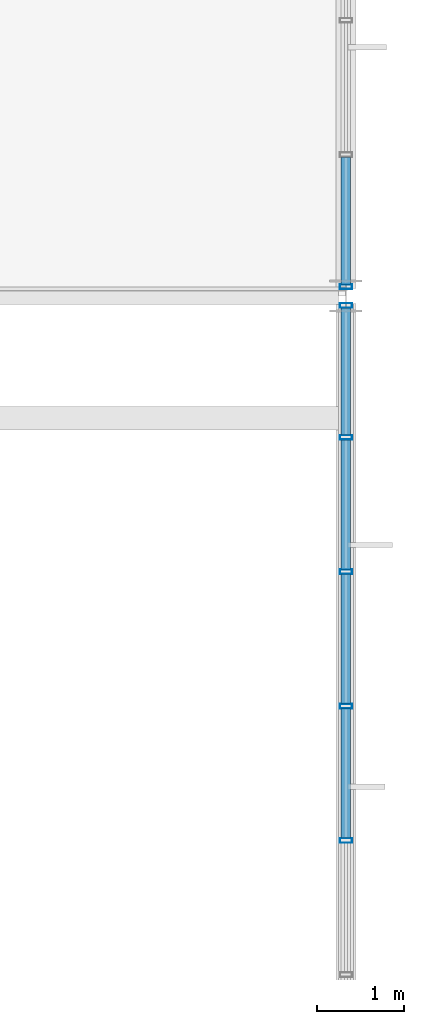
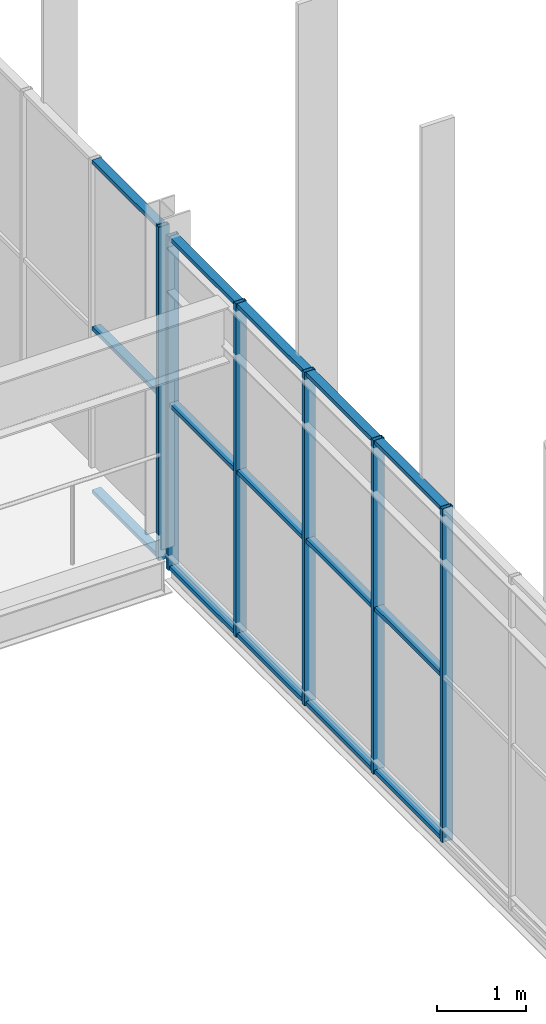
# One storey, part 201 of 324: 21 members, 2 elements without a shape of their own.
"""IFC4 building model written with IfcOpenShell, lengths in metres."""

from ifc_helpers import new_model, si_unit, direction, frame, origin, origin_2d, place, context, subcontext, project, spatial, hollow_rectangle, extrude, material, layer, layer_set, material_profile, profile_set, type_object, element, aggregate, save


model = new_model("IFC4")

# Units and contexts
model_context = context("Model", 3, precision=1e-05, world=origin(), true_north=direction((0.0, 1.0)))
body_context = subcontext(model_context, "Body", "Model", "MODEL_VIEW")
ifc_project = project(units=[si_unit("LENGTHUNIT", "METRE"), si_unit("AREAUNIT", "SQUARE_METRE"), si_unit("VOLUMEUNIT", "CUBIC_METRE"), si_unit("PLANEANGLEUNIT", "RADIAN"), si_unit("MASSUNIT", "GRAM", prefix="KILO")], contexts=[model_context])

# Site, building, storey
site_placement = place(None, origin())
site = spatial("IfcSite", under=ifc_project, at=site_placement, CompositionType="ELEMENT")
building_placement = place(site_placement, origin())
building = spatial("IfcBuilding", under=site, at=building_placement, Name="Solvenia Promenade Tram Depot", CompositionType="ELEMENT")
storey_placement = place(building_placement, frame((0.0, 0.0, 4.5)))
storey = spatial("IfcBuildingStorey", under=building, at=storey_placement, Name="L01", CompositionType="ELEMENT", Elevation=4.5)

# Curtain wall, members
ifc_material = material(Name="Anodized aluminium AW-6063 T6", Category="aluminium")
ifc_layer = layer(ifc_material, 0.080078125, Name="Anodized aluminium AW-6063 T6", Category="aluminium")
ifc_layer_set = layer_set([ifc_layer], Name="Anodized aluminium AW-6063 T6")
curtain_wall_type = type_object("IfcCurtainWallType", Name="CW-Clerest-1500", PredefinedType="NOTDEFINED", material=ifc_layer_set)
curtain_wall_1_placement = place(storey_placement, origin())
curtain_wall_1 = element("IfcCurtainWall", 1, at=curtain_wall_1_placement, inside=storey, type_object=curtain_wall_type, Name="Curtain Wall CW-V2E-L1-1", PredefinedType="NOTDEFINED")
ifc_material_profile_1 = material_profile(ifc_material, hollow_rectangle(XDim=0.139892578125, YDim=0.054931640625, WallThickness=0.00390625, at=origin_2d()), Name="ALU-M4", Category="aluminium")
ifc_profile_set_1 = profile_set([ifc_material_profile_1], Name="Anodized aluminium AW-6063 T6")
member_type_1 = type_object("IfcMemberType", Name="CWM-Mullion-4", PredefinedType="MULLION", material=ifc_profile_set_1)
member_1_placement = place(storey_placement, frame((186.0, 31.768798828125, -0.35009765625), z_axis=(0.0, 0.0, 1.0), x_axis=(-1.0, 0.0, 0.0)))
member_1 = element("IfcMember", 2, at=member_1_placement, type_object=member_type_1, Name="CW-4 mullion 6", PredefinedType="MULLION", context=body_context, shape_type="SweptSolid", body=[
    extrude(hollow_rectangle(XDim=0.139892578125, YDim=0.054931640625, WallThickness=0.00390625, at=origin_2d()), origin(), (0.0, 0.0, 1.0), 4.550048828125),
])
member_2_placement = place(storey_placement, frame((186.0, 33.306640625, -0.35009765625), z_axis=(0.0, 0.0, 1.0), x_axis=(-1.0, 0.0, 0.0)))
member_2 = element("IfcMember", 3, at=member_2_placement, type_object=member_type_1, Name="CW-4 mullion 7", PredefinedType="MULLION", context=body_context, shape_type="SweptSolid", body=[
    extrude(hollow_rectangle(XDim=0.139892578125, YDim=0.054931640625, WallThickness=0.00390625, at=origin_2d()), origin(), (0.0, 0.0, 1.0), 4.550048828125),
])
member_3_placement = place(storey_placement, frame((186.0, 34.844482421875, -0.35009765625), z_axis=(0.0, 0.0, 1.0), x_axis=(-1.0, 0.0, 0.0)))
member_3 = element("IfcMember", 4, at=member_3_placement, type_object=member_type_1, Name="CW-4 mullion 8", PredefinedType="MULLION", context=body_context, shape_type="SweptSolid", body=[
    extrude(hollow_rectangle(XDim=0.139892578125, YDim=0.054931640625, WallThickness=0.00390625, at=origin_2d()), origin(), (0.0, 0.0, 1.0), 4.550048828125),
])
member_4_placement = place(storey_placement, frame((186.0, 36.38232421875, -0.35009765625), z_axis=(0.0, 0.0, 1.0), x_axis=(-1.0, 0.0, 0.0)))
member_4 = element("IfcMember", 5, at=member_4_placement, type_object=member_type_1, Name="CW-4 mullion 9", PredefinedType="MULLION", context=body_context, shape_type="SweptSolid", body=[
    extrude(hollow_rectangle(XDim=0.139892578125, YDim=0.054931640625, WallThickness=0.00390625, at=origin_2d()), origin(), (0.0, 0.0, 1.0), 4.550048828125),
])
member_5_placement = place(storey_placement, frame((186.0, 37.892578125, -0.35009765625), z_axis=(0.0, 0.0, 1.0), x_axis=(-1.0, 0.0, 0.0)))
member_5 = element("IfcMember", 6, at=member_5_placement, type_object=member_type_1, Name="CW-4 mullion 10", PredefinedType="MULLION", context=body_context, shape_type="SweptSolid", body=[
    extrude(hollow_rectangle(XDim=0.139892578125, YDim=0.054931640625, WallThickness=0.00390625, at=origin_2d()), origin(), (0.0, 0.0, 1.0), 4.550048828125),
])

# Curtain wall, member
curtain_wall_2_placement = place(storey_placement, origin())
curtain_wall_2 = element("IfcCurtainWall", 7, at=curtain_wall_2_placement, inside=storey, type_object=curtain_wall_type, Name="Curtain Wall CW-V2E-L1-2", PredefinedType="NOTDEFINED")
member_6_placement = place(storey_placement, frame((186.0, 38.107421875, -0.35009765625), z_axis=(0.0, 0.0, 1.0), x_axis=(-1.0, 0.0, 0.0)))
member_6 = element("IfcMember", 8, at=member_6_placement, type_object=member_type_1, Name="CW-4 mullion 1", PredefinedType="MULLION", context=body_context, shape_type="SweptSolid", body=[
    extrude(hollow_rectangle(XDim=0.139892578125, YDim=0.054931640625, WallThickness=0.00390625, at=origin_2d()), origin(), (0.0, 0.0, 1.0), 4.550048828125),
])

# Member
ifc_material_profile_2 = material_profile(ifc_material, hollow_rectangle(XDim=0.110107421875, YDim=0.054931640625, WallThickness=0.00390625, at=origin_2d()), Name="ALU-T4", Category="aluminium")
ifc_profile_set_2 = profile_set([ifc_material_profile_2], Name="Anodized aluminium AW-6063 T6")
member_type_2 = type_object("IfcMemberType", Name="CWT-Transom-4", PredefinedType="USERDEFINED", material=ifc_profile_set_2)
member_7_placement = place(storey_placement, frame((186.0, 31.79638671875, -0.322509765625), z_axis=(0.0, 1.0, 0.0), x_axis=(-1.0, 0.0, 0.0)))
member_7 = element("IfcMember", 9, at=member_7_placement, type_object=member_type_2, Name="CW-4 transom 6.1", ObjectType="TRANSOM", PredefinedType="USERDEFINED", context=body_context, shape_type="SweptSolid", body=[
    extrude(hollow_rectangle(XDim=0.110107421875, YDim=0.054931640625, WallThickness=0.00390625, at=origin_2d()), origin(), (0.0, 0.0, 1.0), 1.482666015625),
])

member_8_placement = place(storey_placement, frame((186.0, 31.79638671875, 1.89990234375), z_axis=(0.0, 1.0, 0.0), x_axis=(-1.0, 0.0, 0.0)))
member_8 = element("IfcMember", 10, at=member_8_placement, type_object=member_type_2, Name="CW-4 transom 6.2", ObjectType="TRANSOM", PredefinedType="USERDEFINED", context=body_context, shape_type="SweptSolid", body=[
    extrude(hollow_rectangle(XDim=0.110107421875, YDim=0.054931640625, WallThickness=0.00390625, at=origin_2d()), origin(), (0.0, 0.0, 1.0), 1.482666015625),
])

member_9_placement = place(storey_placement, frame((186.0, 31.79638671875, 4.172607421875), z_axis=(0.0, 1.0, 0.0), x_axis=(-1.0, 0.0, 0.0)))
member_9 = element("IfcMember", 11, at=member_9_placement, type_object=member_type_2, Name="CW-4 transom 6.3", ObjectType="TRANSOM", PredefinedType="USERDEFINED", context=body_context, shape_type="SweptSolid", body=[
    extrude(hollow_rectangle(XDim=0.110107421875, YDim=0.054931640625, WallThickness=0.00390625, at=origin_2d()), origin(), (0.0, 0.0, 1.0), 1.482666015625),
])

member_10_placement = place(storey_placement, frame((186.0, 33.334228515625, -0.322509765625), z_axis=(0.0, 1.0, 0.0), x_axis=(-1.0, 0.0, 0.0)))
member_10 = element("IfcMember", 12, at=member_10_placement, type_object=member_type_2, Name="CW-4 transom 7.1", ObjectType="TRANSOM", PredefinedType="USERDEFINED", context=body_context, shape_type="SweptSolid", body=[
    extrude(hollow_rectangle(XDim=0.110107421875, YDim=0.054931640625, WallThickness=0.00390625, at=origin_2d()), origin(), (0.0, 0.0, 1.0), 1.482666015625),
])

member_11_placement = place(storey_placement, frame((186.0, 33.334228515625, 1.89990234375), z_axis=(0.0, 1.0, 0.0), x_axis=(-1.0, 0.0, 0.0)))
member_11 = element("IfcMember", 13, at=member_11_placement, type_object=member_type_2, Name="CW-4 transom 7.2", ObjectType="TRANSOM", PredefinedType="USERDEFINED", context=body_context, shape_type="SweptSolid", body=[
    extrude(hollow_rectangle(XDim=0.110107421875, YDim=0.054931640625, WallThickness=0.00390625, at=origin_2d()), origin(), (0.0, 0.0, 1.0), 1.482666015625),
])

member_12_placement = place(storey_placement, frame((186.0, 33.334228515625, 4.172607421875), z_axis=(0.0, 1.0, 0.0), x_axis=(-1.0, 0.0, 0.0)))
member_12 = element("IfcMember", 14, at=member_12_placement, type_object=member_type_2, Name="CW-4 transom 7.3", ObjectType="TRANSOM", PredefinedType="USERDEFINED", context=body_context, shape_type="SweptSolid", body=[
    extrude(hollow_rectangle(XDim=0.110107421875, YDim=0.054931640625, WallThickness=0.00390625, at=origin_2d()), origin(), (0.0, 0.0, 1.0), 1.482666015625),
])

member_13_placement = place(storey_placement, frame((186.0, 34.871826171875, -0.322509765625), z_axis=(0.0, 1.0, 0.0), x_axis=(-1.0, 0.0, 0.0)))
member_13 = element("IfcMember", 15, at=member_13_placement, type_object=member_type_2, Name="CW-4 transom 8.1", ObjectType="TRANSOM", PredefinedType="USERDEFINED", context=body_context, shape_type="SweptSolid", body=[
    extrude(hollow_rectangle(XDim=0.110107421875, YDim=0.054931640625, WallThickness=0.00390625, at=origin_2d()), origin(), (0.0, 0.0, 1.0), 1.48291015625),
])

member_14_placement = place(storey_placement, frame((186.0, 34.871826171875, 1.89990234375), z_axis=(0.0, 1.0, 0.0), x_axis=(-1.0, 0.0, 0.0)))
member_14 = element("IfcMember", 16, at=member_14_placement, type_object=member_type_2, Name="CW-4 transom 8.2", ObjectType="TRANSOM", PredefinedType="USERDEFINED", context=body_context, shape_type="SweptSolid", body=[
    extrude(hollow_rectangle(XDim=0.110107421875, YDim=0.054931640625, WallThickness=0.00390625, at=origin_2d()), origin(), (0.0, 0.0, 1.0), 1.48291015625),
])

member_15_placement = place(storey_placement, frame((186.0, 34.871826171875, 4.172607421875), z_axis=(0.0, 1.0, 0.0), x_axis=(-1.0, 0.0, 0.0)))
member_15 = element("IfcMember", 17, at=member_15_placement, type_object=member_type_2, Name="CW-4 transom 8.3", ObjectType="TRANSOM", PredefinedType="USERDEFINED", context=body_context, shape_type="SweptSolid", body=[
    extrude(hollow_rectangle(XDim=0.110107421875, YDim=0.054931640625, WallThickness=0.00390625, at=origin_2d()), origin(), (0.0, 0.0, 1.0), 1.48291015625),
])

member_16_placement = place(storey_placement, frame((186.0, 36.40966796875, -0.322509765625), z_axis=(0.0, 1.0, 0.0), x_axis=(-1.0, 0.0, 0.0)))
member_16 = element("IfcMember", 18, at=member_16_placement, type_object=member_type_2, Name="CW-4 transom 9.1", ObjectType="TRANSOM", PredefinedType="USERDEFINED", context=body_context, shape_type="SweptSolid", body=[
    extrude(hollow_rectangle(XDim=0.110107421875, YDim=0.054931640625, WallThickness=0.00390625, at=origin_2d()), origin(), (0.0, 0.0, 1.0), 1.455322265625),
])

member_17_placement = place(storey_placement, frame((186.0, 36.40966796875, 1.89990234375), z_axis=(0.0, 1.0, 0.0), x_axis=(-1.0, 0.0, 0.0)))
member_17 = element("IfcMember", 19, at=member_17_placement, type_object=member_type_2, Name="CW-4 transom 9.2", ObjectType="TRANSOM", PredefinedType="USERDEFINED", context=body_context, shape_type="SweptSolid", body=[
    extrude(hollow_rectangle(XDim=0.110107421875, YDim=0.054931640625, WallThickness=0.00390625, at=origin_2d()), origin(), (0.0, 0.0, 1.0), 1.455322265625),
])

member_18_placement = place(storey_placement, frame((186.0, 36.40966796875, 4.172607421875), z_axis=(0.0, 1.0, 0.0), x_axis=(-1.0, 0.0, 0.0)))
member_18 = element("IfcMember", 20, at=member_18_placement, type_object=member_type_2, Name="CW-4 transom 9.3", ObjectType="TRANSOM", PredefinedType="USERDEFINED", context=body_context, shape_type="SweptSolid", body=[
    extrude(hollow_rectangle(XDim=0.110107421875, YDim=0.054931640625, WallThickness=0.00390625, at=origin_2d()), origin(), (0.0, 0.0, 1.0), 1.455322265625),
])

aggregate(curtain_wall_1, [member_1, member_2, member_3, member_4, member_5, member_7, member_8, member_9, member_10, member_11, member_12, member_13, member_14, member_15, member_16, member_17, member_18])

member_19_placement = place(storey_placement, frame((186.0, 38.135009765625, -0.322509765625), z_axis=(0.0, 1.0, 0.0), x_axis=(-1.0, 0.0, 0.0)))
member_19 = element("IfcMember", 21, at=member_19_placement, type_object=member_type_2, Name="CW-4 transom 1.1", ObjectType="TRANSOM", PredefinedType="USERDEFINED", context=body_context, shape_type="SweptSolid", body=[
    extrude(hollow_rectangle(XDim=0.110107421875, YDim=0.054931640625, WallThickness=0.00390625, at=origin_2d()), origin(), (0.0, 0.0, 1.0), 1.455322265625),
])

member_20_placement = place(storey_placement, frame((186.0, 38.135009765625, 1.89990234375), z_axis=(0.0, 1.0, 0.0), x_axis=(-1.0, 0.0, 0.0)))
member_20 = element("IfcMember", 22, at=member_20_placement, type_object=member_type_2, Name="CW-4 transom 1.2", ObjectType="TRANSOM", PredefinedType="USERDEFINED", context=body_context, shape_type="SweptSolid", body=[
    extrude(hollow_rectangle(XDim=0.110107421875, YDim=0.054931640625, WallThickness=0.00390625, at=origin_2d()), origin(), (0.0, 0.0, 1.0), 1.455322265625),
])

member_21_placement = place(storey_placement, frame((186.0, 38.135009765625, 4.172607421875), z_axis=(0.0, 1.0, 0.0), x_axis=(-1.0, 0.0, 0.0)))
member_21 = element("IfcMember", 23, at=member_21_placement, type_object=member_type_2, Name="CW-4 transom 1.3", ObjectType="TRANSOM", PredefinedType="USERDEFINED", context=body_context, shape_type="SweptSolid", body=[
    extrude(hollow_rectangle(XDim=0.110107421875, YDim=0.054931640625, WallThickness=0.00390625, at=origin_2d()), origin(), (0.0, 0.0, 1.0), 1.455322265625),
])

aggregate(curtain_wall_2, [member_6, member_19, member_20, member_21])

save(model, "model.ifc")
